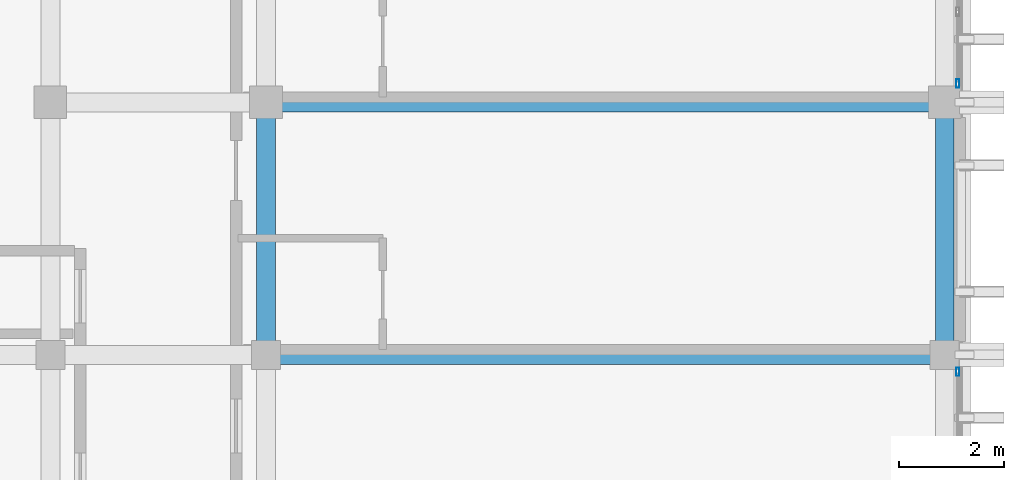
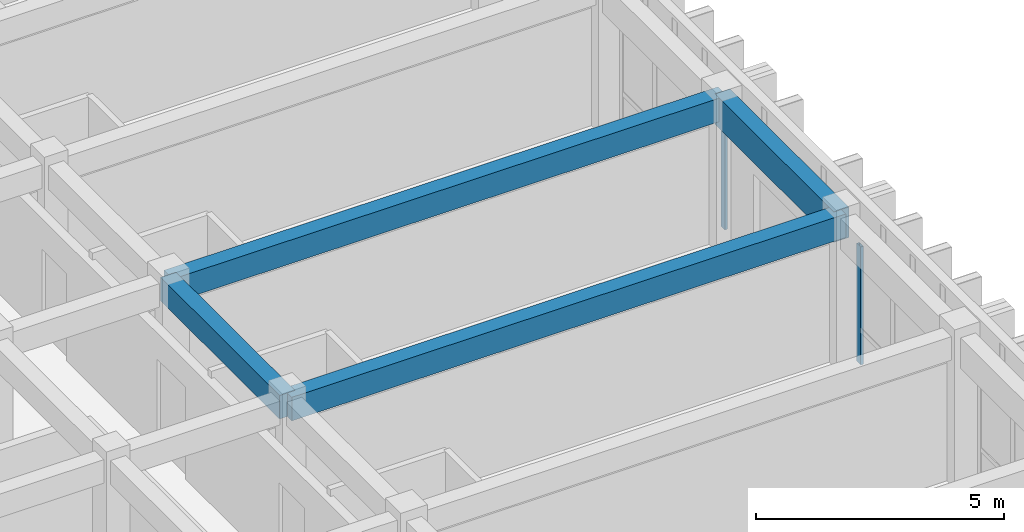
# One storey, part 26 of 50: 4 beams, 2 members, 2 elements without a shape of their own.
"""IFC4 building model written with IfcOpenShell, lengths in metres."""

from ifc_helpers import new_model, si_unit, direction, frame, origin, origin_2d, place, context, subcontext, project, spatial, rectangle, hollow_rectangle, extrude, material, layer, layer_set, material_profile, profile_set, type_object, element, aggregate, save


model = new_model("IFC4")

# Units and contexts
model_context = context("Model", 3, precision=1e-05, world=origin(), true_north=direction((0.0, 1.0)))
body_context = subcontext(model_context, "Body", "Model", "MODEL_VIEW")
ifc_project = project(units=[si_unit("LENGTHUNIT", "METRE"), si_unit("AREAUNIT", "SQUARE_METRE"), si_unit("VOLUMEUNIT", "CUBIC_METRE"), si_unit("PLANEANGLEUNIT", "RADIAN"), si_unit("MASSUNIT", "GRAM", prefix="KILO")], contexts=[model_context])

# Site, building, storey
site_placement = place(None, origin())
site = spatial("IfcSite", under=ifc_project, at=site_placement, CompositionType="ELEMENT")
building_placement = place(site_placement, origin())
building = spatial("IfcBuilding", under=site, at=building_placement, Name="Nakhvara Creek Congress Hotel", CompositionType="ELEMENT")
storey_placement = place(building_placement, frame((0.0, 0.0, 42.60009765625)))
storey = spatial("IfcBuildingStorey", under=building, at=storey_placement, Name="L10", CompositionType="ELEMENT", Elevation=42.60009765625)

# Beams
ifc_material_1 = material(Name="Concrete C40/50", Category="concrete")
ifc_material_profile_1 = material_profile(ifc_material_1, rectangle(XDim=0.360107421875, YDim=0.580078125, at=origin_2d()), Name="RC-BM 360x580", Category="LoadBearing")
ifc_profile_set_1 = profile_set([ifc_material_profile_1], Name="Concrete C40/50")
beam_type_1 = type_object("IfcBeamType", Name="BM-RC-360X580", PredefinedType="BEAM", material=ifc_profile_set_1)
beam_1_placement = place(storey_placement, frame((166.449951171875, 105.60009765625, 3.369873046875), z_axis=(1.0, 0.0, 0.0), x_axis=(0.0, 1.0, 0.0)))
element("IfcBeam", 1, at=beam_1_placement, inside=storey, type_object=beam_type_1, Name="Beam B09-L10-2680", PredefinedType="BEAM", context=body_context, shape_type="SweptSolid", body=[
    extrude(rectangle(XDim=0.360107421875, YDim=0.580078125, at=origin_2d()), origin(), (0.0, 0.0, 1.0), 12.900146484375),
])
beam_2_placement = place(storey_placement, frame((166.449951171875, 100.800048828125, 3.369873046875), z_axis=(0.0, 1.0, 0.0), x_axis=(-1.0, 0.0, 0.0)))
element("IfcBeam", 2, at=beam_2_placement, inside=storey, type_object=beam_type_1, Name="Beam B09-L10-2681", PredefinedType="BEAM", context=body_context, shape_type="SweptSolid", body=[
    extrude(rectangle(XDim=0.360107421875, YDim=0.580078125, at=origin_2d()), origin(), (0.0, 0.0, 1.0), 4.800048828125),
])
beam_3_placement = place(storey_placement, frame((166.449951171875, 100.800048828125, 3.369873046875), z_axis=(1.0, 0.0, 0.0), x_axis=(0.0, 1.0, 0.0)))
element("IfcBeam", 3, at=beam_3_placement, inside=storey, type_object=beam_type_1, Name="Beam B09-L10-2717", PredefinedType="BEAM", context=body_context, shape_type="SweptSolid", body=[
    extrude(rectangle(XDim=0.360107421875, YDim=0.580078125, at=origin_2d()), origin(), (0.0, 0.0, 1.0), 12.900146484375),
])
ifc_material_profile_2 = material_profile(ifc_material_1, rectangle(XDim=0.35009765625, YDim=0.75, at=origin_2d()), Name="RC-SPANDREL 350x750", Category="LoadBearing")
ifc_profile_set_2 = profile_set([ifc_material_profile_2], Name="Concrete C40/50")
beam_type_2 = type_object("IfcBeamType", Name="BM-SPN-350X750", PredefinedType="SPANDREL", material=ifc_profile_set_2)
beam_4_placement = place(storey_placement, frame((179.35009765625, 100.800048828125, 3.284912109375), z_axis=(0.0, 1.0, 0.0), x_axis=(-1.0, 0.0, 0.0)))
element("IfcBeam", 4, at=beam_4_placement, inside=storey, type_object=beam_type_2, Name="Beam SP1-L10-2696", PredefinedType="SPANDREL", context=body_context, shape_type="SweptSolid", body=[
    extrude(rectangle(XDim=0.35009765625, YDim=0.75, at=origin_2d()), origin(), (0.0, 0.0, 1.0), 4.800048828125),
])

# Curtain wall, member
ifc_material_2 = material(Name="Bronze-anodised aluminium AW-6063-T6 and double-silver low-E glass", Category="aluminium")
ifc_layer = layer(ifc_material_2, 0.199951171875)
ifc_layer_set = layer_set([ifc_layer], Name="Bronze-anodised aluminium AW-6063-T6 and double-silver low-E glass")
curtain_wall_type = type_object("IfcCurtainWallType", Name="CW-HTL-UNIT", PredefinedType="USERDEFINED", material=ifc_layer_set)
curtain_wall_1_placement = place(storey_placement, origin())
curtain_wall_1 = element("IfcCurtainWall", 5, at=curtain_wall_1_placement, inside=storey, type_object=curtain_wall_type, Name="Curtain Wall CW324", ObjectType="UNITISED", PredefinedType="USERDEFINED")
ifc_material_3 = material(Name="Bronze-anodised aluminium AW-6063-T6", Category="aluminium")
ifc_material_profile_3 = material_profile(ifc_material_3, hollow_rectangle(XDim=0.06494140625, YDim=0.159912109375, WallThickness=0.00390625, at=origin_2d()), Name="ALU-MULL 65x160x4", Category="LoadBearing")
ifc_profile_set_3 = profile_set([ifc_material_profile_3], Name="Bronze-anodised aluminium AW-6063-T6")
member_type = type_object("IfcMemberType", Name="CW-MULL-160", PredefinedType="MULLION", material=ifc_profile_set_3)
member_1_placement = place(storey_placement, frame((179.60009765625, 100.4775390625, 0.0), z_axis=(0.0, 0.0, 1.0), x_axis=(1.0, 0.0, 0.0)))
member_1 = element("IfcMember", 6, at=member_1_placement, type_object=member_type, Name="CW324 mullion 1", PredefinedType="MULLION", context=body_context, shape_type="SweptSolid", body=[
    extrude(hollow_rectangle(XDim=0.06494140625, YDim=0.159912109375, WallThickness=0.00390625, at=origin_2d()), origin(), (0.0, 0.0, 1.0), 2.90185546875),
])
aggregate(curtain_wall_1, [member_1])

curtain_wall_2_placement = place(storey_placement, origin())
curtain_wall_2 = element("IfcCurtainWall", 7, at=curtain_wall_2_placement, inside=storey, type_object=curtain_wall_type, Name="Curtain Wall CW326", ObjectType="UNITISED", PredefinedType="USERDEFINED")
member_2_placement = place(storey_placement, frame((179.60009765625, 105.95751953125, 0.0), z_axis=(0.0, 0.0, 1.0), x_axis=(1.0, 0.0, 0.0)))
member_2 = element("IfcMember", 8, at=member_2_placement, type_object=member_type, Name="CW326 mullion 4", PredefinedType="MULLION", context=body_context, shape_type="SweptSolid", body=[
    extrude(hollow_rectangle(XDim=0.06494140625, YDim=0.159912109375, WallThickness=0.00390625, at=origin_2d()), origin(), (0.0, 0.0, 1.0), 2.90185546875),
])
aggregate(curtain_wall_2, [member_2])

save(model, "model.ifc")
